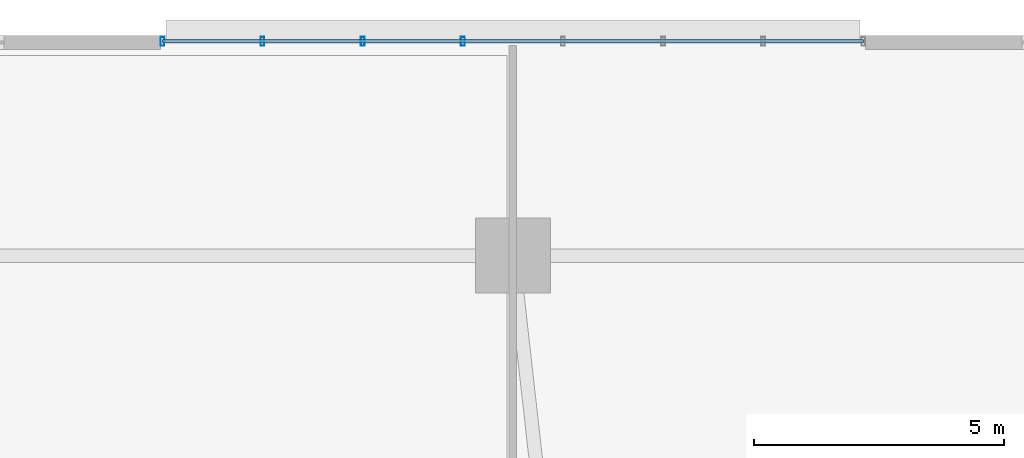
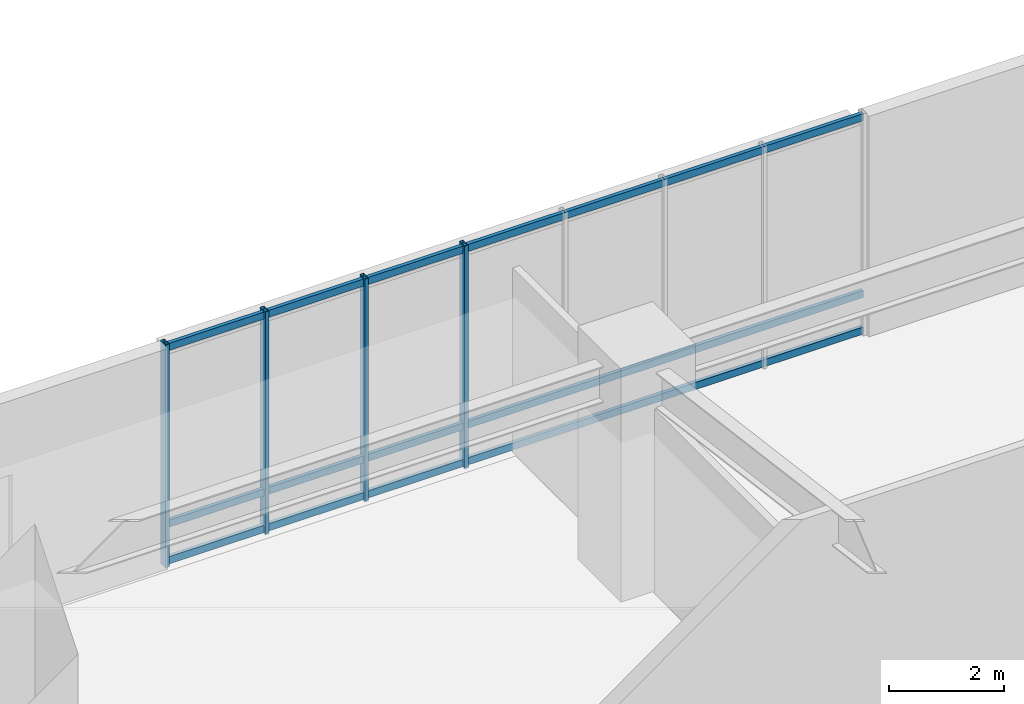
# One storey, part 9 of 26: 7 members, 1 element without a shape of its own.
"""IFC4 building model written with IfcOpenShell, lengths in metres."""

from ifc_helpers import new_model, si_unit, direction, frame, origin, origin_2d, place, context, subcontext, project, spatial, hollow_rectangle, extrude, material, material_profile, profile_set, type_object, element, aggregate, save


model = new_model("IFC4")

# Units and contexts
model_context = context("Model", 3, precision=1e-05, world=origin(), true_north=direction((0.0, 1.0)))
body_context = subcontext(model_context, "Body", "Model", "MODEL_VIEW")
ifc_project = project(units=[si_unit("LENGTHUNIT", "METRE"), si_unit("AREAUNIT", "SQUARE_METRE"), si_unit("VOLUMEUNIT", "CUBIC_METRE"), si_unit("PLANEANGLEUNIT", "RADIAN"), si_unit("MASSUNIT", "GRAM", prefix="KILO")], contexts=[model_context])

# Site, building, storey
site_placement = place(None, origin())
site = spatial("IfcSite", under=ifc_project, at=site_placement, CompositionType="ELEMENT")
building_placement = place(site_placement, origin())
building = spatial("IfcBuilding", under=site, at=building_placement, Name="Zulverin Broadcast Headquarters", CompositionType="ELEMENT")
storey_placement = place(building_placement, frame((0.0, 0.0, 15.0)))
storey = spatial("IfcBuildingStorey", under=building, at=storey_placement, Name="L03", CompositionType="ELEMENT", Elevation=15.0)

# Curtain wall, members
ifc_material_1 = material(Name="Pale-metal unitised podium curtain wall", Category="aluminium")
curtain_wall_type = type_object("IfcCurtainWallType", Name="CW-POD", PredefinedType="USERDEFINED", material=ifc_material_1)
curtain_wall_placement = place(storey_placement, origin())
curtain_wall = element("IfcCurtainWall", 1, at=curtain_wall_placement, inside=storey, type_object=curtain_wall_type, Name="L03 Unitised Curtain Wall CW-L03-N2", ObjectType="UNITISED CURTAIN WALL", PredefinedType="USERDEFINED")
ifc_material_2 = material(Name="Anodized pale-metal aluminium alloy 6063-T6", Category="aluminium")
ifc_material_profile_1 = material_profile(ifc_material_2, hollow_rectangle(XDim=0.074951171875, YDim=0.179931640625, WallThickness=0.0048828125, at=origin_2d()), Name="Anodized pale-metal aluminium alloy 6063-T6", Category="aluminium")
ifc_profile_set_1 = profile_set([ifc_material_profile_1], Name="Anodized pale-metal aluminium alloy 6063-T6")
member_type_1 = type_object("IfcMemberType", Name="CW-MUL-180", PredefinedType="MULLION", material=ifc_profile_set_1)
member_1_placement = place(storey_placement, frame((36.0, 50.280029296875, -0.030029296875), z_axis=(0.0, 0.0, 1.0), x_axis=(-1.0, 0.0, 0.0)))
member_1 = element("IfcMember", 2, at=member_1_placement, type_object=member_type_1, Name="CW-L03-N2 Mullion 04", PredefinedType="MULLION", context=body_context, shape_type="SweptSolid", body=[
    extrude(hollow_rectangle(XDim=0.074951171875, YDim=0.179931640625, WallThickness=0.0048828125, at=origin_2d()), origin(), (0.0, 0.0, 1.0), 4.739990234375),
])
member_2_placement = place(storey_placement, frame((34.0, 50.280029296875, -0.030029296875), z_axis=(0.0, 0.0, 1.0), x_axis=(-1.0, 0.0, 0.0)))
member_2 = element("IfcMember", 3, at=member_2_placement, type_object=member_type_1, Name="CW-L03-N2 Mullion 05", PredefinedType="MULLION", context=body_context, shape_type="SweptSolid", body=[
    extrude(hollow_rectangle(XDim=0.074951171875, YDim=0.179931640625, WallThickness=0.0048828125, at=origin_2d()), origin(), (0.0, 0.0, 1.0), 4.739990234375),
])
member_3_placement = place(storey_placement, frame((32.0, 50.280029296875, -0.030029296875), z_axis=(0.0, 0.0, 1.0), x_axis=(-1.0, 0.0, 0.0)))
member_3 = element("IfcMember", 4, at=member_3_placement, type_object=member_type_1, Name="CW-L03-N2 Mullion 06", PredefinedType="MULLION", context=body_context, shape_type="SweptSolid", body=[
    extrude(hollow_rectangle(XDim=0.074951171875, YDim=0.179931640625, WallThickness=0.0048828125, at=origin_2d()), origin(), (0.0, 0.0, 1.0), 4.739990234375),
])
member_4_placement = place(storey_placement, frame((30.0, 50.280029296875, -0.030029296875), z_axis=(0.0, 0.0, 1.0), x_axis=(-1.0, 0.0, 0.0)))
member_4 = element("IfcMember", 5, at=member_4_placement, type_object=member_type_1, Name="CW-L03-N2 Mullion 07", PredefinedType="MULLION", context=body_context, shape_type="SweptSolid", body=[
    extrude(hollow_rectangle(XDim=0.074951171875, YDim=0.179931640625, WallThickness=0.0048828125, at=origin_2d()), origin(), (0.0, 0.0, 1.0), 4.739990234375),
])
ifc_material_profile_2 = material_profile(ifc_material_2, hollow_rectangle(XDim=0.074951171875, YDim=0.14990234375, WallThickness=0.0048828125, at=origin_2d()), Name="Anodized pale-metal aluminium alloy 6063-T6", Category="aluminium")
ifc_profile_set_2 = profile_set([ifc_material_profile_2], Name="Anodized pale-metal aluminium alloy 6063-T6")
member_type_2 = type_object("IfcMemberType", Name="CW-TRN-150", PredefinedType="USERDEFINED", material=ifc_profile_set_2)
member_5_placement = place(storey_placement, frame((44.0, 50.280029296875, 0.074951171875), z_axis=(-1.0, 0.0, 0.0), x_axis=(0.0, -1.0, 0.0)))
member_5 = element("IfcMember", 6, at=member_5_placement, type_object=member_type_2, Name="CW-L03-N2 Transom 0", ObjectType="TRANSOM", PredefinedType="USERDEFINED", context=body_context, shape_type="SweptSolid", body=[
    extrude(hollow_rectangle(XDim=0.074951171875, YDim=0.14990234375, WallThickness=0.0048828125, at=origin_2d()), origin(), (0.0, 0.0, 1.0), 14.0),
])
member_6_placement = place(storey_placement, frame((44.0, 50.280029296875, 0.85009765625), z_axis=(-1.0, 0.0, 0.0), x_axis=(0.0, -1.0, 0.0)))
member_6 = element("IfcMember", 7, at=member_6_placement, type_object=member_type_2, Name="CW-L03-N2 Transom 1", ObjectType="TRANSOM", PredefinedType="USERDEFINED", context=body_context, shape_type="SweptSolid", body=[
    extrude(hollow_rectangle(XDim=0.074951171875, YDim=0.14990234375, WallThickness=0.0048828125, at=origin_2d()), origin(), (0.0, 0.0, 1.0), 14.0),
])
member_7_placement = place(storey_placement, frame((44.0, 50.280029296875, 4.60498046875), z_axis=(-1.0, 0.0, 0.0), x_axis=(0.0, -1.0, 0.0)))
member_7 = element("IfcMember", 8, at=member_7_placement, type_object=member_type_2, Name="CW-L03-N2 Transom 2", ObjectType="TRANSOM", PredefinedType="USERDEFINED", context=body_context, shape_type="SweptSolid", body=[
    extrude(hollow_rectangle(XDim=0.074951171875, YDim=0.14990234375, WallThickness=0.0048828125, at=origin_2d()), origin(), (0.0, 0.0, 1.0), 14.0),
])
aggregate(curtain_wall, [member_1, member_2, member_3, member_4, member_5, member_6, member_7])

save(model, "model.ifc")
